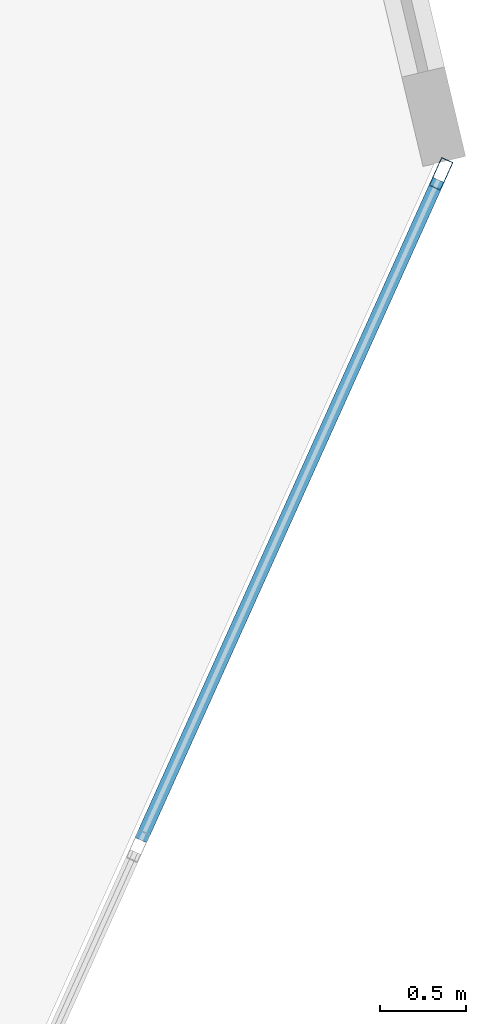
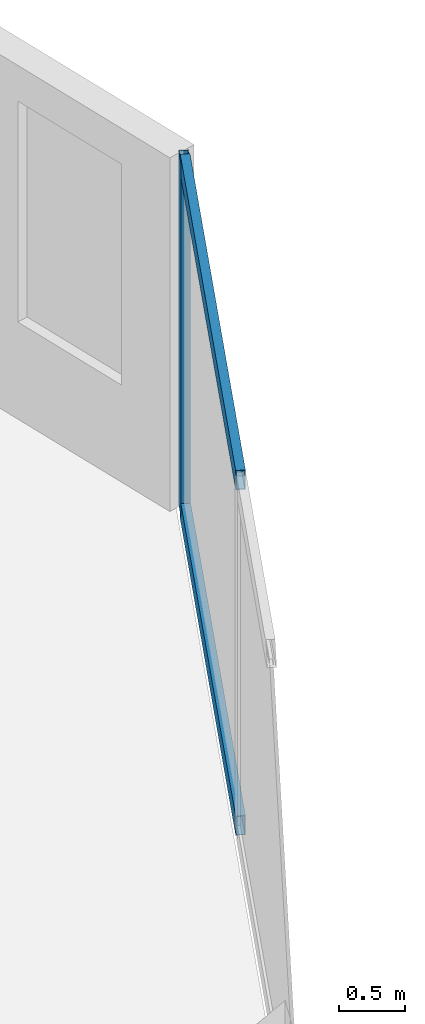
# One storey, part 11 of 22: 3 members, 1 element without a shape of its own.
"""IFC4 building model written with IfcOpenShell, lengths in metres."""

from ifc_helpers import new_model, si_unit, direction, frame, origin, origin_2d, place, context, subcontext, project, spatial, hollow_rectangle, extrude, source, transform, mapped, material, layer, layer_set, material_profile, profile_set, type_object, type_shapes, element, aggregate, save


model = new_model("IFC4")

# Units and contexts
model_context = context("Model", 3, precision=1e-05, world=origin(), true_north=direction((0.0, 1.0)))
body_context = subcontext(model_context, "Body", "Model", "MODEL_VIEW")
ifc_project = project(units=[si_unit("LENGTHUNIT", "METRE"), si_unit("AREAUNIT", "SQUARE_METRE"), si_unit("VOLUMEUNIT", "CUBIC_METRE"), si_unit("PLANEANGLEUNIT", "RADIAN"), si_unit("MASSUNIT", "GRAM", prefix="KILO")], contexts=[model_context])

# Site, building, storey
site_placement = place(None, origin())
site = spatial("IfcSite", under=ifc_project, at=site_placement, CompositionType="ELEMENT")
building_placement = place(site_placement, origin())
building = spatial("IfcBuilding", under=site, at=building_placement, Name="Talar Marvaseh", CompositionType="ELEMENT")
storey_placement = place(building_placement, frame((0.0, 0.0, 154.199951171875)))
storey = spatial("IfcBuildingStorey", under=building, at=storey_placement, Name="L40", CompositionType="ELEMENT", Elevation=154.199951171875)

# Curtain wall, members
ifc_material = material(Name="Architectural Aluminium", Category="aluminium")
ifc_layer = layer(ifc_material, 0.199951171875)
ifc_layer_set = layer_set([ifc_layer], Name="Architectural Aluminium")
curtain_wall_type = type_object("IfcCurtainWallType", Name="Unitised Acoustic Library Curtain Wall Z2", PredefinedType="NOTDEFINED", material=ifc_layer_set)
curtain_wall_placement = place(storey_placement, origin())
curtain_wall = element("IfcCurtainWall", 1, at=curtain_wall_placement, inside=storey, type_object=curtain_wall_type, Name="L40 Unitised Acoustic Library Curtain Wall Z2", PredefinedType="NOTDEFINED")
ifc_material_profile_1 = material_profile(ifc_material, hollow_rectangle(XDim=0.074951171875, YDim=0.179931640625, WallThickness=0.0048828125, at=origin_2d()), Name="RHS180x75x5")
ifc_profile_set_1 = profile_set([ifc_material_profile_1], Name="Architectural Aluminium")
member_type_1 = type_object("IfcMemberType", Name="Unitised Curtain Wall Transom RHS180x75x5", PredefinedType="USERDEFINED", material=ifc_profile_set_1)
shared_shape_1 = source(origin(), body_context, "Body", "SweptSolid", [
    extrude(hollow_rectangle(XDim=0.074951171875, YDim=0.179931640625, WallThickness=0.0048828125, at=origin_2d()), origin(), (0.0, 0.0, 1.0), 4.211181640625),
])
type_shapes(member_type_1, [shared_shape_1])
member_1_placement = place(storey_placement, frame((47.02001953125, 36.742431640625, 0.03759765625), z_axis=(-0.410813002216, -0.911719626426, 0.0), x_axis=(0.911719626426, -0.410813002216, 0.0)))
member_1 = element("IfcMember", 2, at=member_1_placement, type_object=member_type_1, Name="CW-Z2 transom 1.1", ObjectType="TRANSOM", PredefinedType="USERDEFINED", context=body_context, shape_type="MappedRepresentation", body=[
    mapped(shared_shape_1, transform((0.0, 0.0, 0.0), x_axis=(1.0, 0.0, 0.0), y_axis=(0.0, 1.0, 0.0), z_axis=(0.0, 0.0, 1.0), scale=1.0)),
])
member_2_placement = place(storey_placement, frame((47.02001953125, 36.742431640625, 3.242431640625), z_axis=(-0.410813002216, -0.911719626426, 0.0), x_axis=(0.911719626426, -0.410813002216, 0.0)))
member_2 = element("IfcMember", 3, at=member_2_placement, type_object=member_type_1, Name="CW-Z2 transom 1.2", ObjectType="TRANSOM", PredefinedType="USERDEFINED", context=body_context, shape_type="MappedRepresentation", body=[
    mapped(shared_shape_1, transform((0.0, 0.0, 0.0), x_axis=(1.0, 0.0, 0.0), y_axis=(0.0, 1.0, 0.0), z_axis=(0.0, 0.0, 1.0), scale=1.0)),
])
ifc_material_profile_2 = material_profile(ifc_material, hollow_rectangle(XDim=0.074951171875, YDim=0.179931640625, WallThickness=0.0048828125, at=origin_2d()), Name="RHS180x75x5")
ifc_profile_set_2 = profile_set([ifc_material_profile_2], Name="Architectural Aluminium")
member_type_2 = type_object("IfcMemberType", Name="Unitised Curtain Wall Standard Mullion RHS180x75x5", PredefinedType="MULLION", material=ifc_profile_set_2)
shared_shape_2 = source(origin(), body_context, "Body", "SweptSolid", [
    extrude(hollow_rectangle(XDim=0.074951171875, YDim=0.179931640625, WallThickness=0.0048828125, at=origin_2d()), origin(), (0.0, 0.0, 1.0), 3.280029296875),
])
type_shapes(member_type_2, [shared_shape_2])
member_3_placement = place(storey_placement, frame((47.035400390625, 36.776611328125, 0.0), z_axis=(0.0, 0.0, 1.0), x_axis=(0.911697367149, -0.410862398783, 0.0)))
member_3 = element("IfcMember", 4, at=member_3_placement, type_object=member_type_2, Name="CW-Z2 mullion 1", PredefinedType="MULLION", context=body_context, shape_type="MappedRepresentation", body=[
    mapped(shared_shape_2, transform((0.0, 0.0, 0.0), x_axis=(1.0, 0.0, 0.0), y_axis=(0.0, 1.0, 0.0), z_axis=(0.0, 0.0, 1.0), scale=1.0)),
])
aggregate(curtain_wall, [member_3, member_1, member_2])

save(model, "model.ifc")
